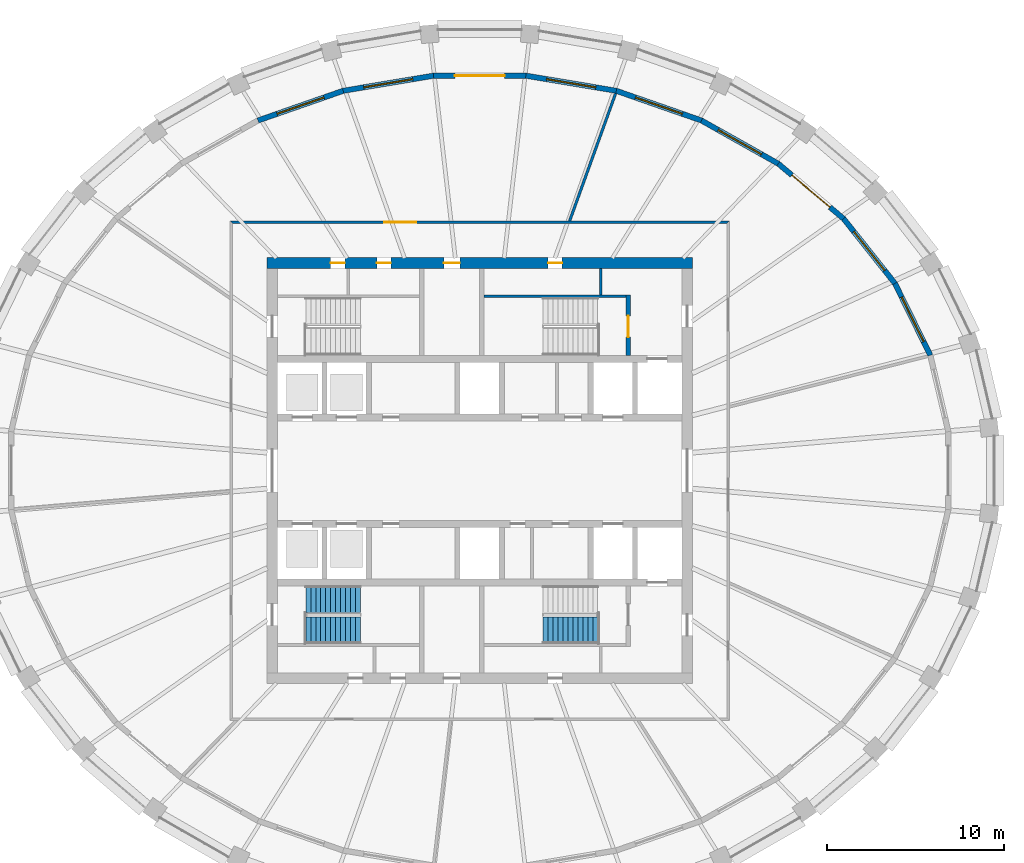
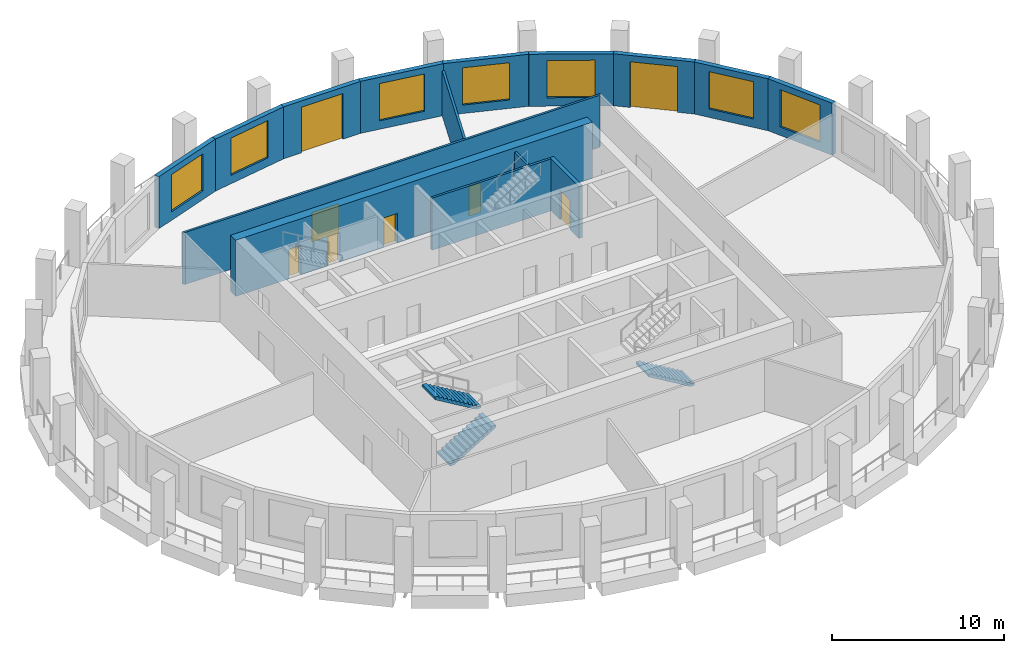
# One storey, part 6 of 10: 15 walls, 8 doors, 7 windows, 3 stair flights, 15 openings, 2 elements without a shape of their own.
"""IFC4 building model written with IfcOpenShell, lengths in metres."""

import ifcopenshell
import ifcopenshell.guid

model = None  # the IFC model being written
_history = None  # IfcOwnerHistory: only IFC2X3 demands one
_inside = {}  # id of a spatial element -> (the spatial element, [elements in it])
_under = {}  # id of a project, library or spatial element -> (it, [spatial elements below it])
_declared = {}  # id of a project -> (the project, [libraries it declares])
_typed = {}  # id of a type object -> (the type object, [elements of that type])
_made_of = {}  # id of a material, layer set ... -> (it, [elements and type objects made of it])


def new_model(schema):
    """Start an empty IFC model of exactly this schema.

    Asked for "IFC4X3", IfcOpenShell would pick the latest addendum, in which some entities
    have other attributes; the version numbers below select the first issue.
    IFC2X3 requires an IfcOwnerHistory on every rooted entity: one is made here for all.
    """
    global model, _history
    if schema == "IFC4X3":
        model = ifcopenshell.file(schema_version=(4, 3, 0, 0))
    else:
        model = ifcopenshell.file(schema=schema)
    _inside.clear()
    _under.clear()
    _declared.clear()
    _typed.clear()
    _made_of.clear()
    _history = None
    if model.schema == "IFC2X3":
        org = make("IfcOrganization", Name="unknown")
        user = make(
            "IfcPersonAndOrganization",
            ThePerson=make("IfcPerson", FamilyName="unknown"),
            TheOrganization=org,
        )
        app = make(
            "IfcApplication",
            ApplicationDeveloper=org,
            Version="unknown",
            ApplicationFullName="unknown",
            ApplicationIdentifier="unknown",
        )
        _history = make(
            "IfcOwnerHistory",
            OwningUser=user,
            OwningApplication=app,
            ChangeAction="ADDED",
            CreationDate=0,
        )
    return model


def make(cls, **values):
    """One entity of the class cls with the attributes given. An attribute that is None is left unset."""
    return model.create_entity(
        cls, **{name: value for name, value in values.items() if value is not None}
    )


def rooted(cls, **values):
    """An entity with a GlobalId (a new one), such as an element, a storey or a relation."""
    return make(cls, GlobalId=ifcopenshell.guid.new(), OwnerHistory=_history, **values)


def si_unit(unit_type, name, prefix=None):
    """IfcSIUnit, for example si_unit("LENGTHUNIT", "METRE", prefix="MILLI")."""
    return make("IfcSIUnit", UnitType=unit_type, Prefix=prefix, Name=name)


def assignment(units):
    """IfcUnitAssignment: the units of a project."""
    return None if units is None else make("IfcUnitAssignment", Units=units)


def point(xyz):
    """IfcCartesianPoint."""
    return None if xyz is None else make("IfcCartesianPoint", Coordinates=xyz)


def direction(xyz):
    """IfcDirection."""
    return None if xyz is None else make("IfcDirection", DirectionRatios=xyz)


def frame(location, z_axis=None, x_axis=None):
    """IfcAxis2Placement3D, a coordinate frame: its origin and axes. An axis left out is left unset."""
    return make(
        "IfcAxis2Placement3D",
        Location=point(location),
        Axis=direction(z_axis),
        RefDirection=direction(x_axis),
    )


def frame_2d(location, x_axis=None):
    """IfcAxis2Placement2D, a coordinate frame in the plane: its origin and x axis."""
    return make(
        "IfcAxis2Placement2D", Location=point(location), RefDirection=direction(x_axis)
    )


def origin():
    """The frame at (0, 0, 0) with its axes left unset."""
    return frame((0.0, 0.0, 0.0))


def place(relative_to, where):
    """IfcLocalPlacement: puts the frame where relative to a parent placement (None: the world)."""
    return make(
        "IfcLocalPlacement", PlacementRelTo=relative_to, RelativePlacement=where
    )


def context(
    kind, dimensions, precision=None, world=None, true_north=None, identifier=None
):
    """IfcGeometricRepresentationContext, for example the 3D "Model" context."""
    return make(
        "IfcGeometricRepresentationContext",
        ContextIdentifier=identifier,
        ContextType=kind,
        CoordinateSpaceDimension=dimensions,
        Precision=precision,
        WorldCoordinateSystem=world,
        TrueNorth=true_north,
    )


def subcontext(parent, identifier, kind, view, scale=None):
    """IfcGeometricRepresentationSubContext, for example "Body" below "Model"."""
    return make(
        "IfcGeometricRepresentationSubContext",
        ContextIdentifier=identifier,
        ContextType=kind,
        ParentContext=parent,
        TargetScale=scale,
        TargetView=view,
    )


def project(units=None, contexts=None):
    """IfcProject with its units and contexts."""
    return rooted(
        "IfcProject",
        Name="project",
        RepresentationContexts=contexts,
        UnitsInContext=assignment(units),
    )


def spatial(cls, under=None, at=None, **own):
    """A site, building, storey or space (cls), placed at a placement, below another one or the project."""
    s = rooted(cls, ObjectPlacement=at, **own)
    if under is not None:
        _under.setdefault(under.id(), (under, []))[1].append(s)
    return s


def polyline(points):
    """IfcPolyline through the points."""
    return make("IfcPolyline", Points=[point(p) for p in points])


def profile(cls, at=None, kind="AREA", **sizes):
    """A parametric profile (cls). Its sizes go by their IFC names, for example OverallWidth=200.0."""
    return make(cls, ProfileType=kind, Position=at, **sizes)


def rectangle(**sizes):
    """IfcRectangleProfileDef."""
    return profile("IfcRectangleProfileDef", **sizes)


def outline(outer, holes=None, kind="AREA"):
    """IfcArbitraryClosedProfileDef: a profile drawn as a closed curve; with holes, ...WithVoids."""
    if holes is None:
        return make("IfcArbitraryClosedProfileDef", ProfileType=kind, OuterCurve=outer)
    return make(
        "IfcArbitraryProfileDefWithVoids",
        ProfileType=kind,
        OuterCurve=outer,
        InnerCurves=holes,
    )


def extrude(swept, where, along, depth):
    """IfcExtrudedAreaSolid: the profile swept, set in the frame where, extruded along a direction by depth."""
    return make(
        "IfcExtrudedAreaSolid",
        SweptArea=swept,
        Position=where,
        ExtrudedDirection=direction(along),
        Depth=depth,
    )


def shape(context_of_items, identifier, shape_type, items):
    """IfcShapeRepresentation: the items that make up one representation, for example the "Body"."""
    return make(
        "IfcShapeRepresentation",
        ContextOfItems=context_of_items,
        RepresentationIdentifier=identifier,
        RepresentationType=shape_type,
        Items=items,
    )


def material(Name=None, Category=None):
    """IfcMaterial."""
    return make("IfcMaterial", Name=Name, Category=Category)


def layer(
    of_material, thickness, ventilated=None, Name=None, Category=None, Priority=None
):
    """IfcMaterialLayer: one layer of a wall or slab, of a material (None: an air gap)."""
    return make(
        "IfcMaterialLayer",
        Material=of_material,
        LayerThickness=thickness,
        IsVentilated=ventilated,
        Name=Name,
        Category=Category,
        Priority=Priority,
    )


def layer_set(layers, Name=None):
    """IfcMaterialLayerSet."""
    return make("IfcMaterialLayerSet", MaterialLayers=layers, LayerSetName=Name)


def made_of(thing, what):
    """Note that an element or type object is made of a material, layer set ...; save() writes the relation."""
    if what is not None:
        _made_of.setdefault(what.id(), (what, []))[1].append(thing)
    return thing


def type_object(cls, material=None, **own):
    """A type object (cls), such as IfcWallType, which elements share."""
    return made_of(rooted(cls, **own), material)


def element(
    cls,
    number,
    at=None,
    inside=None,
    cuts=None,
    type_object=None,
    material=None,
    context=None,
    identifier="Body",
    shape_type=None,
    held_by="IfcProductDefinitionShape",
    body=None,
    shapes=None,
    **own,
):
    """One element of the class cls, such as IfcWall. Its Tag is "e" and its number.

    at: its placement. inside: the storey or other place that contains it. cuts: it is an
    opening in that element (IfcRelVoidsElement). A single representation is given by context,
    identifier, shape_type and body (its items); several are given by shapes. held_by: the class
    of the entity that holds the representations. save() writes the other relations.
    """
    e = rooted(cls, Tag="e%d" % number, ObjectPlacement=at, **own)
    if body is not None:
        shapes = [shape(context, identifier, shape_type, body)]
    if shapes is not None:
        e.Representation = make(held_by, Representations=shapes)
    if inside is not None:
        _inside.setdefault(inside.id(), (inside, []))[1].append(e)
    if cuts is not None:
        rooted(
            "IfcRelVoidsElement", RelatingBuildingElement=cuts, RelatedOpeningElement=e
        )
    if type_object is not None:
        _typed.setdefault(type_object.id(), (type_object, []))[1].append(e)
    return made_of(e, material)


def fill(opening, filler):
    """IfcRelFillsElement: the door or window that sits in an opening."""
    return rooted(
        "IfcRelFillsElement",
        RelatingOpeningElement=opening,
        RelatedBuildingElement=filler,
    )


def aggregate(whole, parts):
    """IfcRelAggregates: a whole, such as a stair, and the parts it consists of."""
    return rooted("IfcRelAggregates", RelatingObject=whole, RelatedObjects=parts)


def save(model, path):
    """Write the relations noted so far, then the file.

    IfcRelAggregates (storeys below a building ...), IfcRelContainedInSpatialStructure (elements
    in a storey), IfcRelDefinesByType, IfcRelAssociatesMaterial and IfcRelDeclares: one each for
    every whole, place, type object, material and project.
    """
    for whole, parts in _under.values():
        aggregate(whole, parts)
    for where, things in _inside.values():
        rooted(
            "IfcRelContainedInSpatialStructure",
            RelatedElements=things,
            RelatingStructure=where,
        )
    for kind, things in _typed.values():
        rooted("IfcRelDefinesByType", RelatedObjects=things, RelatingType=kind)
    for what, things in _made_of.values():
        rooted("IfcRelAssociatesMaterial", RelatedObjects=things, RelatingMaterial=what)
    for by, libraries in _declared.values():
        rooted("IfcRelDeclares", RelatingContext=by, RelatedDefinitions=libraries)
    model.write(path)


model = new_model("IFC4")

# Units and contexts
model_context = context("Model", 3, precision=1e-05, world=origin(), true_north=direction((0.0, 1.0)))
body_context = subcontext(model_context, "Body", "Model", "MODEL_VIEW")
ifc_project = project(units=[si_unit("LENGTHUNIT", "METRE"), si_unit("AREAUNIT", "SQUARE_METRE"), si_unit("VOLUMEUNIT", "CUBIC_METRE"), si_unit("PLANEANGLEUNIT", "RADIAN"), si_unit("MASSUNIT", "GRAM", prefix="KILO")], contexts=[model_context])

# Site, building, storey
site_placement = place(None, origin())
site = spatial("IfcSite", under=ifc_project, at=site_placement, CompositionType="ELEMENT")
building_placement = place(site_placement, origin())
building = spatial("IfcBuilding", under=site, at=building_placement, Name="Halqa Exchange Tower", CompositionType="ELEMENT")
storey_placement = place(building_placement, frame((0.0, 0.0, 300.300048828125)))
storey = spatial("IfcBuildingStorey", under=building, at=storey_placement, Name="L70", CompositionType="ELEMENT", Elevation=300.300048828125)

# Wall, opening, door
ifc_material_1 = material(Name="Fire-rated gypsum board")
ifc_layer_1 = layer(ifc_material_1, 0.14990234375)
ifc_layer_set_1 = layer_set([ifc_layer_1], Name="Fire-rated gypsum board")
wall_type_1 = type_object("IfcWallType", Name="Fire partition EI 60 150", PredefinedType="PARTITIONING", material=ifc_layer_set_1)
wall_1_placement = place(storey_placement, frame((-14.074951171875, 14.0, 0.0), z_axis=(0.0, 0.0, 1.0), x_axis=(1.0, 0.0, 0.0)))
wall_1 = element("IfcWall", 1, at=wall_1_placement, inside=storey, type_object=wall_type_1, Name="L70-PWL-005", PredefinedType="PARTITIONING", context=body_context, shape_type="SweptSolid", body=[
    extrude(outline(polyline([(0.14990234375, -0.074951171875), (2.13916015625, -0.074951171875), (4.12841796875, -0.074951171875), (6.11767578125, -0.074951171875), (8.107177734375, -0.074951171875), (10.096435546875, -0.074951171875), (12.085693359375, -0.074951171875), (14.074951171875, -0.074951171875), (16.064208984375, -0.074951171875), (18.053466796875, -0.074951171875), (20.042724609375, -0.074951171875), (22.0322265625, -0.074951171875), (24.021484375, -0.074951171875), (26.0107421875, -0.074951171875), (28.0, -0.074951171875), (28.14990234375, 0.074951171875), (26.273193359375, 0.074951171875), (24.396484375, 0.074951171875), (22.52001953125, 0.074951171875), (20.643310546875, 0.074951171875), (18.7666015625, 0.074951171875), (16.889892578125, 0.074951171875), (15.01318359375, 0.074951171875), (13.13671875, 0.074951171875), (11.260009765625, 0.074951171875), (9.38330078125, 0.074951171875), (7.506591796875, 0.074951171875), (5.6298828125, 0.074951171875), (3.75341796875, 0.074951171875), (1.876708984375, 0.074951171875), (0.0, 0.074951171875), (0.14990234375, -0.074951171875)])), origin(), (0.0, 0.0, 1.0), 3.699951171875),
])
opening_1_placement = place(wall_1_placement, frame((8.695068359375, 0.0, 0.0)))
opening_1 = element("IfcOpeningElement", 2, at=opening_1_placement, cuts=wall_1, Name="Opening 21-08", PredefinedType="OPENING", context=body_context, shape_type="SweptSolid", body=[
    extrude(rectangle(XDim=1.800048828125, YDim=2.10009765625, at=frame_2d((0.89990234375, 1.050048828125))), frame((0.0, 0.0869140625, 0.0), z_axis=(0.0, -1.0, 0.0), x_axis=(1.0, 0.0, 0.0)), (0.0, 0.0, 1.0), 0.173828125),
])
ifc_material_2 = material(Name="Steel fire door leaf", Category="steel")
door_type_1 = type_object("IfcDoorType", Name="Fire door FD30S double 1800 x 2100", OperationType="DOUBLE_DOOR_SINGLE_SWING", PredefinedType="DOOR", material=ifc_material_2)
door_1_placement = place(opening_1_placement, origin())
door_1 = element("IfcDoor", 3, at=door_1_placement, inside=storey, type_object=door_type_1, Name="L70-IDR-008", OperationType="DOUBLE_DOOR_SINGLE_SWING", OverallHeight=2.10009765625, OverallWidth=1.800048828125, PredefinedType="DOOR", context=body_context, shape_type="SweptSolid", body=[
    extrude(rectangle(XDim=1.800048828125, YDim=2.10009765625, at=frame_2d((0.89990234375, 1.050048828125))), frame((0.0, 0.02490234375, 0.0), z_axis=(0.0, -1.0, 0.0), x_axis=(1.0, 0.0, 0.0)), (0.0, 0.0, 1.0), 0.050048828125),
])
fill(opening_1, door_1)

# Walls
wall_2_placement = place(storey_placement, frame((5.05810546875, 14.0498046875, 0.0), z_axis=(0.0, 0.0, 1.0), x_axis=(0.339337577603, 0.940664663111, 0.0)))
element("IfcWall", 4, at=wall_2_placement, inside=storey, type_object=wall_type_1, Name="L70-PWL-008", PredefinedType="PARTITIONING", context=body_context, shape_type="SweptSolid", body=[
    extrude(outline(polyline([(7.663818359375, -0.074951171875), (7.663818359375, -0.03857421875), (7.663330078125, -0.000244140625), (7.649658203125, 0.074951171875), (5.7373046875, 0.074951171875), (3.82470703125, 0.074951171875), (1.912353515625, 0.074951171875), (0.0, 0.074951171875), (0.0, 0.07421875), (0.0537109375, -0.074951171875), (1.956298828125, -0.074951171875), (3.85888671875, -0.074951171875), (5.76123046875, -0.074951171875), (7.663818359375, -0.074951171875)])), origin(), (0.0, 0.0, 1.0), 3.199951171875),
])
ifc_material_3 = material(Name="Gypsum board")
ifc_layer_2 = layer(ifc_material_3, 0.14990234375)
ifc_layer_set_2 = layer_set([ifc_layer_2], Name="Gypsum board")
wall_type_2 = type_object("IfcWallType", Name="Penthouse riser wall 150 gypsum", PredefinedType="PARTITIONING", material=ifc_layer_set_2)
wall_3_placement = place(storey_placement, frame((6.824951171875, 9.89990234375, 0.0), z_axis=(0.0, 0.0, 1.0), x_axis=(0.0, 1.0, 0.0)))
element("IfcWall", 5, at=wall_3_placement, inside=storey, type_object=wall_type_2, Name="Firefighting lobby west wall N", PredefinedType="PARTITIONING", context=body_context, shape_type="SweptSolid", body=[
    extrude(rectangle(XDim=1.5, YDim=0.14990234375, at=frame_2d((0.75, 0.0))), origin(), (0.0, 0.0, 1.0), 3.699951171875),
])

# Wall, openings, doors
ifc_material_4 = material(Name="Concrete C60/75", Category="concrete")
ifc_layer_3 = layer(ifc_material_4, 0.60009765625)
ifc_layer_set_3 = layer_set([ifc_layer_3], Name="Concrete C60/75")
wall_type_3 = type_object("IfcWallType", Name="RC core wall 600 C60/75", PredefinedType="SHEAR", material=ifc_layer_set_3)
wall_4_placement = place(storey_placement, frame((-12.0, 11.699951171875, 0.0), z_axis=(0.0, 0.0, 1.0), x_axis=(1.0, 0.0, 0.0)))
wall_4 = element("IfcWall", 6, at=wall_4_placement, inside=storey, type_object=wall_type_3, Name="Core wall north", PredefinedType="SHEAR", context=body_context, shape_type="SweptSolid", body=[
    extrude(rectangle(XDim=24.0, YDim=0.60009765625, at=frame_2d((12.0, 0.0))), origin(), (0.0, 0.0, 1.0), 4.0),
])
opening_2_placement = place(wall_4_placement, frame((9.97509765625, 0.0, 0.0)))
opening_2 = element("IfcOpeningElement", 7, at=opening_2_placement, cuts=wall_4, Name="Opening T21-C17", PredefinedType="OPENING", context=body_context, shape_type="SweptSolid", body=[
    extrude(rectangle(XDim=0.89990234375, YDim=2.10009765625, at=frame_2d((0.449951171875, 1.050048828125))), frame((0.0, 0.31201171875, 0.0), z_axis=(0.0, -1.0, 0.0), x_axis=(1.0, 0.0, 0.0)), (0.0, 0.0, 1.0), 0.6240234375),
])
opening_3_placement = place(wall_4_placement, frame((3.60009765625, 0.0, 0.0)))
opening_3 = element("IfcOpeningElement", 8, at=opening_3_placement, cuts=wall_4, Name="Opening T21-C18", PredefinedType="OPENING", context=body_context, shape_type="SweptSolid", body=[
    extrude(rectangle(XDim=0.800048828125, YDim=2.10009765625, at=frame_2d((0.39990234375, 1.050048828125))), frame((0.0, 0.31201171875, 0.0), z_axis=(0.0, -1.0, 0.0), x_axis=(1.0, 0.0, 0.0)), (0.0, 0.0, 1.0), 0.6240234375),
])
opening_4_placement = place(wall_4_placement, frame((6.199951171875, 0.0, 0.0)))
opening_4 = element("IfcOpeningElement", 9, at=opening_4_placement, cuts=wall_4, Name="Opening T21-C19", PredefinedType="OPENING", context=body_context, shape_type="SweptSolid", body=[
    extrude(rectangle(XDim=0.800048828125, YDim=2.10009765625, at=frame_2d((0.39990234375, 1.050048828125))), frame((0.0, 0.31201171875, 0.0), z_axis=(0.0, -1.0, 0.0), x_axis=(1.0, 0.0, 0.0)), (0.0, 0.0, 1.0), 0.6240234375),
])
opening_5_placement = place(wall_4_placement, frame((15.85009765625, 0.0, 0.0)))
opening_5 = element("IfcOpeningElement", 10, at=opening_5_placement, cuts=wall_4, Name="Opening T21-C20", PredefinedType="OPENING", context=body_context, shape_type="SweptSolid", body=[
    extrude(rectangle(XDim=0.800048828125, YDim=2.10009765625, at=frame_2d((0.39990234375, 1.050048828125))), frame((0.0, 0.31201171875, 0.0), z_axis=(0.0, -1.0, 0.0), x_axis=(1.0, 0.0, 0.0)), (0.0, 0.0, 1.0), 0.6240234375),
])
ifc_material_5 = material(Name="Timber fire door leaf", Category="wood")
door_type_2 = type_object("IfcDoorType", Name="Core room door FD30 900 x 2100", OperationType="SINGLE_SWING_LEFT", PredefinedType="DOOR", material=ifc_material_5)
door_2_placement = place(opening_2_placement, frame((0.89990234375, 0.0, 0.0), z_axis=(0.0, 0.0, 1.0), x_axis=(-1.0, 0.0, 0.0)))
door_2 = element("IfcDoor", 11, at=door_2_placement, inside=storey, type_object=door_type_2, Name="Core room door", OperationType="SINGLE_SWING_RIGHT", OverallHeight=2.10009765625, OverallWidth=0.89990234375, PredefinedType="DOOR", context=body_context, shape_type="SweptSolid", body=[
    extrude(rectangle(XDim=0.89990234375, YDim=2.10009765625, at=frame_2d((0.449951171875, 1.050048828125))), frame((0.0, 0.02490234375, 0.0), z_axis=(0.0, -1.0, 0.0), x_axis=(1.0, 0.0, 0.0)), (0.0, 0.0, 1.0), 0.050048828125),
])
fill(opening_2, door_2)
door_type_3 = type_object("IfcDoorType", Name="Riser door FD60 800 x 2100", OperationType="SINGLE_SWING_LEFT", PredefinedType="DOOR", material=ifc_material_2)
door_3_placement = place(opening_3_placement, frame((0.800048828125, 0.0, 0.0), z_axis=(0.0, 0.0, 1.0), x_axis=(-1.0, 0.0, 0.0)))
door_3 = element("IfcDoor", 12, at=door_3_placement, inside=storey, type_object=door_type_3, Name="Core room door", OperationType="SINGLE_SWING_RIGHT", OverallHeight=2.10009765625, OverallWidth=0.800048828125, PredefinedType="DOOR", context=body_context, shape_type="SweptSolid", body=[
    extrude(rectangle(XDim=0.800048828125, YDim=2.10009765625, at=frame_2d((0.39990234375, 1.050048828125))), frame((0.0, 0.02490234375, 0.0), z_axis=(0.0, -1.0, 0.0), x_axis=(1.0, 0.0, 0.0)), (0.0, 0.0, 1.0), 0.050048828125),
])
fill(opening_3, door_3)
door_4_placement = place(opening_4_placement, frame((0.800048828125, 0.0, 0.0), z_axis=(0.0, 0.0, 1.0), x_axis=(-1.0, 0.0, 0.0)))
door_4 = element("IfcDoor", 13, at=door_4_placement, inside=storey, type_object=door_type_3, Name="Core room door", OperationType="SINGLE_SWING_LEFT", OverallHeight=2.10009765625, OverallWidth=0.800048828125, PredefinedType="DOOR", context=body_context, shape_type="SweptSolid", body=[
    extrude(rectangle(XDim=0.800048828125, YDim=2.10009765625, at=frame_2d((0.39990234375, 1.050048828125))), frame((0.0, 0.02490234375, 0.0), z_axis=(0.0, -1.0, 0.0), x_axis=(1.0, 0.0, 0.0)), (0.0, 0.0, 1.0), 0.050048828125),
])
fill(opening_4, door_4)
door_5_placement = place(opening_5_placement, frame((0.800048828125, 0.0, 0.0), z_axis=(0.0, 0.0, 1.0), x_axis=(-1.0, 0.0, 0.0)))
door_5 = element("IfcDoor", 14, at=door_5_placement, inside=storey, type_object=door_type_3, Name="Core room door", OperationType="SINGLE_SWING_RIGHT", OverallHeight=2.10009765625, OverallWidth=0.800048828125, PredefinedType="DOOR", context=body_context, shape_type="SweptSolid", body=[
    extrude(rectangle(XDim=0.800048828125, YDim=2.10009765625, at=frame_2d((0.39990234375, 1.050048828125))), frame((0.0, 0.02490234375, 0.0), z_axis=(0.0, -1.0, 0.0), x_axis=(1.0, 0.0, 0.0)), (0.0, 0.0, 1.0), 0.050048828125),
])
fill(opening_5, door_5)

# Wall
ifc_material_6 = material(Name="Concrete C30/37", Category="concrete")
ifc_layer_4 = layer(ifc_material_6, 0.14990234375)
ifc_layer_set_4 = layer_set([ifc_layer_4], Name="Concrete C30/37")
wall_type_4 = type_object("IfcWallType", Name="RC stair wall 150 C30/37", PredefinedType="SHEAR", material=ifc_layer_set_4)
wall_5_placement = place(storey_placement, frame((0.25, 9.824951171875, 0.0), z_axis=(0.0, 0.0, 1.0), x_axis=(1.0, 0.0, 0.0)))
element("IfcWall", 15, at=wall_5_placement, inside=storey, type_object=wall_type_4, Name="Stair ST2 north wall N", PredefinedType="SHEAR", context=body_context, shape_type="SweptSolid", body=[
    extrude(rectangle(XDim=8.0, YDim=0.14990234375, at=frame_2d((4.0, 0.0))), origin(), (0.0, 0.0, 1.0), 3.699951171875),
])

# Wall, opening, door
ifc_layer_5 = layer(ifc_material_6, 0.25)
ifc_layer_set_5 = layer_set([ifc_layer_5], Name="Concrete C30/37")
wall_type_5 = type_object("IfcWallType", Name="RC stair wall 250 C30/37", PredefinedType="SHEAR", material=ifc_layer_set_5)
wall_6_placement = place(storey_placement, frame((8.375, 6.5, 0.0), z_axis=(0.0, 0.0, 1.0), x_axis=(0.0, 1.0, 0.0)))
wall_6 = element("IfcWall", 16, at=wall_6_placement, inside=storey, type_object=wall_type_5, Name="Stair ST2 east wall N", PredefinedType="SHEAR", context=body_context, shape_type="SweptSolid", body=[
    extrude(rectangle(XDim=3.39990234375, YDim=0.25, at=frame_2d((1.699951171875, 0.0))), origin(), (0.0, 0.0, 1.0), 3.699951171875),
])
opening_6_placement = place(wall_6_placement, frame((1.02490234375, 0.0, 0.0)))
opening_6 = element("IfcOpeningElement", 17, at=opening_6_placement, cuts=wall_6, Name="Opening T21-C12", PredefinedType="OPENING", context=body_context, shape_type="SweptSolid", body=[
    extrude(rectangle(XDim=1.199951171875, YDim=2.10009765625, at=frame_2d((0.60009765625, 1.050048828125))), frame((0.0, 0.136962890625, 0.0), z_axis=(0.0, -1.0, 0.0), x_axis=(1.0, 0.0, 0.0)), (0.0, 0.0, 1.0), 0.27392578125),
])
door_type_4 = type_object("IfcDoorType", Name="Stair door FD90 1200 x 2100", OperationType="SINGLE_SWING_LEFT", PredefinedType="DOOR", material=ifc_material_2)
door_6_placement = place(opening_6_placement, origin())
door_6 = element("IfcDoor", 18, at=door_6_placement, inside=storey, type_object=door_type_4, Name="Stair door ST2", OperationType="SINGLE_SWING_RIGHT", OverallHeight=2.10009765625, OverallWidth=1.199951171875, PredefinedType="DOOR", context=body_context, shape_type="SweptSolid", body=[
    extrude(rectangle(XDim=1.199951171875, YDim=2.10009765625, at=frame_2d((0.60009765625, 1.050048828125))), frame((0.0, 0.02490234375, 0.0), z_axis=(0.0, -1.0, 0.0), x_axis=(1.0, 0.0, 0.0)), (0.0, 0.0, 1.0), 0.050048828125),
])
fill(opening_6, door_6)

# Wall, opening, window
ifc_material_7 = material(Name="Limestone cladding", Category="masonry")
ifc_layer_6 = layer(ifc_material_7, 0.0400390625)
ifc_material_8 = material(Name="Ventilated cavity")
ifc_layer_7 = layer(ifc_material_8, 0.030029296875, ventilated=True)
ifc_material_9 = material(Name="Mineral wool insulation")
ifc_layer_8 = layer(ifc_material_9, 0.10009765625)
ifc_layer_9 = layer(ifc_material_6, 0.10009765625)
ifc_material_10 = material(Name="Internal plaster")
ifc_layer_10 = layer(ifc_material_10, 0.030029296875)
ifc_layer_set_6 = layer_set([ifc_layer_6, ifc_layer_7, ifc_layer_8, ifc_layer_9, ifc_layer_10], Name="Stone-faced insulated wall 300")
wall_type_6 = type_object("IfcWallType", Name="Stone-faced insulated wall 300", PredefinedType="STANDARD", material=ifc_layer_set_6)
wall_7_placement = place(storey_placement, frame((25.39013671875, 6.499755859375, 0.0), z_axis=(0.0, 0.0, 1.0), x_axis=(-0.441431671743, 0.897294867467, 0.0)))
wall_7 = element("IfcWall", 19, at=wall_7_placement, inside=storey, type_object=wall_type_6, Name="Glass-line wall 2", PredefinedType="STANDARD", context=body_context, shape_type="SweptSolid", body=[
    extrude(outline(polyline([(-0.016845703125, -0.14990234375), (4.532958984375, -0.14990234375), (4.500732421875, 0.14990234375), (0.016845703125, 0.14990234375), (-0.016845703125, -0.14990234375)])), origin(), (0.0, 0.0, 1.0), 3.699951171875),
])
opening_7_placement = place(wall_7_placement, frame((0.8583984375, 0.0, 0.60009765625)))
opening_7 = element("IfcOpeningElement", 20, at=opening_7_placement, cuts=wall_7, Name="Opening W-F4-02", PredefinedType="OPENING", context=body_context, shape_type="SweptSolid", body=[
    extrude(rectangle(XDim=2.800048828125, YDim=2.64990234375, at=frame_2d((1.39990234375, 1.324951171875))), frame((0.0, 0.162109375, 0.0), z_axis=(0.0, -1.0, 0.0), x_axis=(1.0, 0.0, 0.0)), (0.0, 0.0, 1.0), 0.323974609375),
])
ifc_material_11 = material(Name="Clear low-emissivity glass in aluminium frame", Category="aluminium")
window_type = type_object("IfcWindowType", Name="Fixed clear glazed window 2800 x 2650", PartitioningType="DOUBLE_PANEL_VERTICAL", PredefinedType="WINDOW", material=ifc_material_11)
window_1_placement = place(opening_7_placement, origin())
window_1 = element("IfcWindow", 21, at=window_1_placement, inside=storey, type_object=window_type, Name="Window 4", OverallHeight=2.64990234375, OverallWidth=2.800048828125, PartitioningType="DOUBLE_PANEL_VERTICAL", PredefinedType="WINDOW", context=body_context, shape_type="SweptSolid", body=[
    extrude(rectangle(XDim=2.800048828125, YDim=2.64990234375, at=frame_2d((1.39990234375, 1.324951171875))), frame((0.0, 0.030029296875, 0.0), z_axis=(0.0, -1.0, 0.0), x_axis=(1.0, 0.0, 0.0)), (0.0, 0.0, 1.0), 0.06005859375),
])
fill(opening_7, window_1)

wall_8_placement = place(storey_placement, frame((23.396240234375, 10.552734375, 0.0), z_axis=(0.0, 0.0, 1.0), x_axis=(-0.621625671247, 0.783314448256, 0.0)))
wall_8 = element("IfcWall", 22, at=wall_8_placement, inside=storey, type_object=wall_type_6, Name="Glass-line wall 3", PredefinedType="STANDARD", context=body_context, shape_type="SweptSolid", body=[
    extrude(outline(polyline([(-0.01611328125, -0.14990234375), (4.668701171875, -0.14990234375), (4.638427734375, 0.14990234375), (0.01611328125, 0.14990234375), (-0.01611328125, -0.14990234375)])), origin(), (0.0, 0.0, 1.0), 3.699951171875),
])
opening_8_placement = place(wall_8_placement, frame((0.927001953125, 0.0, 0.60009765625)))
opening_8 = element("IfcOpeningElement", 23, at=opening_8_placement, cuts=wall_8, Name="Opening W-F4-03", PredefinedType="OPENING", context=body_context, shape_type="SweptSolid", body=[
    extrude(rectangle(XDim=2.800048828125, YDim=2.64990234375, at=frame_2d((1.39990234375, 1.324951171875))), frame((0.0, 0.162109375, 0.0), z_axis=(0.0, -1.0, 0.0), x_axis=(1.0, 0.0, 0.0)), (0.0, 0.0, 1.0), 0.323974609375),
])
window_2_placement = place(opening_8_placement, origin())
window_2 = element("IfcWindow", 24, at=window_2_placement, inside=storey, type_object=window_type, Name="Window 4", OverallHeight=2.64990234375, OverallWidth=2.800048828125, PartitioningType="DOUBLE_PANEL_VERTICAL", PredefinedType="WINDOW", context=body_context, shape_type="SweptSolid", body=[
    extrude(rectangle(XDim=2.800048828125, YDim=2.64990234375, at=frame_2d((1.39990234375, 1.324951171875))), frame((0.0, 0.030029296875, 0.0), z_axis=(0.0, -1.0, 0.0), x_axis=(1.0, 0.0, 0.0)), (0.0, 0.0, 1.0), 0.06005859375),
])
fill(opening_8, window_2)

# Wall, opening, door
wall_9_placement = place(storey_placement, frame((20.50341796875, 14.197998046875, 0.0), z_axis=(0.0, 0.0, 1.0), x_axis=(-0.764966473721, 0.644070100286, 0.0)))
wall_9 = element("IfcWall", 25, at=wall_9_placement, inside=storey, type_object=wall_type_6, Name="Glass-line wall 4", PredefinedType="STANDARD", context=body_context, shape_type="SweptSolid", body=[
    extrude(outline(polyline([(-0.01513671875, -0.14990234375), (4.824462890625, -0.14990234375), (4.796142578125, 0.14990234375), (0.01513671875, 0.14990234375), (-0.01513671875, -0.14990234375)])), origin(), (0.0, 0.0, 1.0), 3.699951171875),
])
opening_9_placement = place(wall_9_placement, frame((1.005126953125, 0.0, 0.0)))
opening_9 = element("IfcOpeningElement", 26, at=opening_9_placement, cuts=wall_9, Name="Opening LG-F4-01", PredefinedType="OPENING", context=body_context, shape_type="SweptSolid", body=[
    extrude(rectangle(XDim=2.800048828125, YDim=3.25, at=frame_2d((1.39990234375, 1.625))), frame((0.0, 0.162109375, 0.0), z_axis=(0.0, -1.0, 0.0), x_axis=(1.0, 0.0, 0.0)), (0.0, 0.0, 1.0), 0.323974609375),
])
door_type_5 = type_object("IfcDoorType", Name="Glazed sliding loggia door 2800 x 3250", OperationType="DOUBLE_DOOR_SLIDING", PredefinedType="DOOR", material=ifc_material_11)
door_7_placement = place(opening_9_placement, origin())
door_7 = element("IfcDoor", 27, at=door_7_placement, inside=storey, type_object=door_type_5, Name="Loggia door 1", OperationType="DOUBLE_DOOR_SLIDING", OverallHeight=3.25, OverallWidth=2.800048828125, PredefinedType="DOOR", context=body_context, shape_type="SweptSolid", body=[
    extrude(rectangle(XDim=2.800048828125, YDim=3.25, at=frame_2d((1.39990234375, 1.625))), frame((0.0, 0.02490234375, 0.0), z_axis=(0.0, -1.0, 0.0), x_axis=(1.0, 0.0, 0.0)), (0.0, 0.0, 1.0), 0.050048828125),
])
fill(opening_9, door_7)

# Wall, opening, window
wall_10_placement = place(storey_placement, frame((16.82373046875, 17.296142578125, 0.0), z_axis=(0.0, 0.0, 1.0), x_axis=(-0.871512454536, 0.490373369575, 0.0)))
wall_10 = element("IfcWall", 28, at=wall_10_placement, inside=storey, type_object=wall_type_6, Name="Glass-line wall 5", PredefinedType="STANDARD", context=body_context, shape_type="SweptSolid", body=[
    extrude(outline(polyline([(-0.01416015625, -0.14990234375), (4.97509765625, -0.14990234375), (4.9482421875, 0.14990234375), (0.01416015625, 0.14990234375), (-0.01416015625, -0.14990234375)])), origin(), (0.0, 0.0, 1.0), 3.699951171875),
])
opening_10_placement = place(wall_10_placement, frame((1.080810546875, 0.0, 0.60009765625)))
opening_10 = element("IfcOpeningElement", 29, at=opening_10_placement, cuts=wall_10, Name="Opening W-F4-05", PredefinedType="OPENING", context=body_context, shape_type="SweptSolid", body=[
    extrude(rectangle(XDim=2.800048828125, YDim=2.64990234375, at=frame_2d((1.39990234375, 1.324951171875))), frame((0.0, 0.162109375, 0.0), z_axis=(0.0, -1.0, 0.0), x_axis=(1.0, 0.0, 0.0)), (0.0, 0.0, 1.0), 0.323974609375),
])
window_3_placement = place(opening_10_placement, origin())
window_3 = element("IfcWindow", 30, at=window_3_placement, inside=storey, type_object=window_type, Name="Window 4", OverallHeight=2.64990234375, OverallWidth=2.800048828125, PartitioningType="DOUBLE_PANEL_VERTICAL", PredefinedType="WINDOW", context=body_context, shape_type="SweptSolid", body=[
    extrude(rectangle(XDim=2.800048828125, YDim=2.64990234375, at=frame_2d((1.39990234375, 1.324951171875))), frame((0.0, 0.030029296875, 0.0), z_axis=(0.0, -1.0, 0.0), x_axis=(1.0, 0.0, 0.0)), (0.0, 0.0, 1.0), 0.06005859375),
])
fill(opening_10, window_3)

wall_11_placement = place(storey_placement, frame((12.49951171875, 19.729248046875, 0.0), z_axis=(0.0, 0.0, 1.0), x_axis=(-0.944230376095, 0.329285585564, 0.0)))
wall_11 = element("IfcWall", 31, at=wall_11_placement, inside=storey, type_object=wall_type_6, Name="Glass-line wall 6", PredefinedType="STANDARD", context=body_context, shape_type="SweptSolid", body=[
    extrude(outline(polyline([(-0.013427734375, -0.14990234375), (5.099609375, -0.14990234375), (5.07421875, 0.14990234375), (0.013427734375, 0.14990234375), (-0.013427734375, -0.14990234375)])), origin(), (0.0, 0.0, 1.0), 3.699951171875),
])
opening_11_placement = place(wall_11_placement, frame((1.143310546875, 0.0, 0.60009765625)))
opening_11 = element("IfcOpeningElement", 32, at=opening_11_placement, cuts=wall_11, Name="Opening W-F4-06", PredefinedType="OPENING", context=body_context, shape_type="SweptSolid", body=[
    extrude(rectangle(XDim=2.800048828125, YDim=2.64990234375, at=frame_2d((1.39990234375, 1.324951171875))), frame((0.0, 0.162109375, 0.0), z_axis=(0.0, -1.0, 0.0), x_axis=(1.0, 0.0, 0.0)), (0.0, 0.0, 1.0), 0.323974609375),
])
window_4_placement = place(opening_11_placement, origin())
window_4 = element("IfcWindow", 33, at=window_4_placement, inside=storey, type_object=window_type, Name="Window 4", OverallHeight=2.64990234375, OverallWidth=2.800048828125, PartitioningType="DOUBLE_PANEL_VERTICAL", PredefinedType="WINDOW", context=body_context, shape_type="SweptSolid", body=[
    extrude(rectangle(XDim=2.800048828125, YDim=2.64990234375, at=frame_2d((1.39990234375, 1.324951171875))), frame((0.0, 0.030029296875, 0.0), z_axis=(0.0, -1.0, 0.0), x_axis=(1.0, 0.0, 0.0)), (0.0, 0.0, 1.0), 0.06005859375),
])
fill(opening_11, window_4)

wall_12_placement = place(storey_placement, frame((7.6962890625, 21.404296875, 0.0), z_axis=(0.0, 0.0, 1.0), x_axis=(-0.986263399459, 0.165180225475, 0.0)))
wall_12 = element("IfcWall", 34, at=wall_12_placement, inside=storey, type_object=wall_type_6, Name="Glass-line wall 7", PredefinedType="STANDARD", context=body_context, shape_type="SweptSolid", body=[
    extrude(outline(polyline([(-0.0126953125, -0.14990234375), (5.18115234375, -0.14990234375), (5.15625, 0.14990234375), (0.0126953125, 0.14990234375), (-0.0126953125, -0.14990234375)])), origin(), (0.0, 0.0, 1.0), 3.699951171875),
])
opening_12_placement = place(wall_12_placement, frame((1.184326171875, 0.0, 0.60009765625)))
opening_12 = element("IfcOpeningElement", 35, at=opening_12_placement, cuts=wall_12, Name="Opening W-F4-07", PredefinedType="OPENING", context=body_context, shape_type="SweptSolid", body=[
    extrude(rectangle(XDim=2.800048828125, YDim=2.64990234375, at=frame_2d((1.39990234375, 1.324951171875))), frame((0.0, 0.162109375, 0.0), z_axis=(0.0, -1.0, 0.0), x_axis=(1.0, 0.0, 0.0)), (0.0, 0.0, 1.0), 0.323974609375),
])
window_5_placement = place(opening_12_placement, origin())
window_5 = element("IfcWindow", 36, at=window_5_placement, inside=storey, type_object=window_type, Name="Window 4", OverallHeight=2.64990234375, OverallWidth=2.800048828125, PartitioningType="DOUBLE_PANEL_VERTICAL", PredefinedType="WINDOW", context=body_context, shape_type="SweptSolid", body=[
    extrude(rectangle(XDim=2.800048828125, YDim=2.64990234375, at=frame_2d((1.39990234375, 1.324951171875))), frame((0.0, 0.030029296875, 0.0), z_axis=(0.0, -1.0, 0.0), x_axis=(1.0, 0.0, 0.0)), (0.0, 0.0, 1.0), 0.06005859375),
])
fill(opening_12, window_5)

# Wall, opening, door
wall_13_placement = place(storey_placement, frame((2.5986328125, 22.258056640625, 0.0), z_axis=(0.0, 0.0, 1.0), x_axis=(-1.0, 0.0, 0.0)))
wall_13 = element("IfcWall", 37, at=wall_13_placement, inside=storey, type_object=wall_type_6, Name="Glass-line wall 8", PredefinedType="STANDARD", context=body_context, shape_type="SweptSolid", body=[
    extrude(outline(polyline([(-0.012451171875, -0.14990234375), (5.209716796875, -0.14990234375), (5.184814453125, 0.14990234375), (0.012451171875, 0.14990234375), (-0.012451171875, -0.14990234375)])), origin(), (0.0, 0.0, 1.0), 3.699951171875),
])
opening_13_placement = place(wall_13_placement, frame((1.198486328125, 0.0, 0.0)))
opening_13 = element("IfcOpeningElement", 38, at=opening_13_placement, cuts=wall_13, Name="Opening LG-F4-02", PredefinedType="OPENING", context=body_context, shape_type="SweptSolid", body=[
    extrude(rectangle(XDim=2.800048828125, YDim=3.25, at=frame_2d((1.39990234375, 1.625))), frame((0.0, 0.162109375, 0.0), z_axis=(0.0, -1.0, 0.0), x_axis=(1.0, 0.0, 0.0)), (0.0, 0.0, 1.0), 0.323974609375),
])
door_8_placement = place(opening_13_placement, origin())
door_8 = element("IfcDoor", 39, at=door_8_placement, inside=storey, type_object=door_type_5, Name="Loggia door 2", OperationType="DOUBLE_DOOR_SLIDING", OverallHeight=3.25, OverallWidth=2.800048828125, PredefinedType="DOOR", context=body_context, shape_type="SweptSolid", body=[
    extrude(rectangle(XDim=2.800048828125, YDim=3.25, at=frame_2d((1.39990234375, 1.625))), frame((0.0, 0.02490234375, 0.0), z_axis=(0.0, -1.0, 0.0), x_axis=(1.0, 0.0, 0.0)), (0.0, 0.0, 1.0), 0.050048828125),
])
fill(opening_13, door_8)

# Wall, opening, window
wall_14_placement = place(storey_placement, frame((-2.5986328125, 22.258056640625, 0.0), z_axis=(0.0, 0.0, 1.0), x_axis=(-0.986263399459, -0.165180225475, 0.0)))
wall_14 = element("IfcWall", 40, at=wall_14_placement, inside=storey, type_object=wall_type_6, Name="Glass-line wall 9", PredefinedType="STANDARD", context=body_context, shape_type="SweptSolid", body=[
    extrude(outline(polyline([(-0.012451171875, -0.14990234375), (5.181396484375, -0.14990234375), (5.156005859375, 0.14990234375), (0.012451171875, 0.14990234375), (-0.012451171875, -0.14990234375)])), origin(), (0.0, 0.0, 1.0), 3.699951171875),
])
opening_14_placement = place(wall_14_placement, frame((1.184326171875, 0.0, 0.60009765625)))
opening_14 = element("IfcOpeningElement", 41, at=opening_14_placement, cuts=wall_14, Name="Opening W-F4-09", PredefinedType="OPENING", context=body_context, shape_type="SweptSolid", body=[
    extrude(rectangle(XDim=2.800048828125, YDim=2.64990234375, at=frame_2d((1.39990234375, 1.324951171875))), frame((0.0, 0.162109375, 0.0), z_axis=(0.0, -1.0, 0.0), x_axis=(1.0, 0.0, 0.0)), (0.0, 0.0, 1.0), 0.323974609375),
])
window_6_placement = place(opening_14_placement, origin())
window_6 = element("IfcWindow", 42, at=window_6_placement, inside=storey, type_object=window_type, Name="Window 4", OverallHeight=2.64990234375, OverallWidth=2.800048828125, PartitioningType="DOUBLE_PANEL_VERTICAL", PredefinedType="WINDOW", context=body_context, shape_type="SweptSolid", body=[
    extrude(rectangle(XDim=2.800048828125, YDim=2.64990234375, at=frame_2d((1.39990234375, 1.324951171875))), frame((0.0, 0.030029296875, 0.0), z_axis=(0.0, -1.0, 0.0), x_axis=(1.0, 0.0, 0.0)), (0.0, 0.0, 1.0), 0.06005859375),
])
fill(opening_14, window_6)

wall_15_placement = place(storey_placement, frame((-7.6962890625, 21.404296875, 0.0), z_axis=(0.0, 0.0, 1.0), x_axis=(-0.944230376095, -0.329285585564, 0.0)))
wall_15 = element("IfcWall", 43, at=wall_15_placement, inside=storey, type_object=wall_type_6, Name="Glass-line wall 10", PredefinedType="STANDARD", context=body_context, shape_type="SweptSolid", body=[
    extrude(outline(polyline([(-0.0126953125, -0.14990234375), (5.100341796875, -0.14990234375), (5.073486328125, 0.14990234375), (0.0126953125, 0.14990234375), (-0.0126953125, -0.14990234375)])), origin(), (0.0, 0.0, 1.0), 3.699951171875),
])
opening_15_placement = place(wall_15_placement, frame((1.143310546875, 0.0, 0.60009765625)))
opening_15 = element("IfcOpeningElement", 44, at=opening_15_placement, cuts=wall_15, Name="Opening W-F4-10", PredefinedType="OPENING", context=body_context, shape_type="SweptSolid", body=[
    extrude(rectangle(XDim=2.800048828125, YDim=2.64990234375, at=frame_2d((1.39990234375, 1.324951171875))), frame((0.0, 0.162109375, 0.0), z_axis=(0.0, -1.0, 0.0), x_axis=(1.0, 0.0, 0.0)), (0.0, 0.0, 1.0), 0.323974609375),
])
window_7_placement = place(opening_15_placement, origin())
window_7 = element("IfcWindow", 45, at=window_7_placement, inside=storey, type_object=window_type, Name="Window 4", OverallHeight=2.64990234375, OverallWidth=2.800048828125, PartitioningType="DOUBLE_PANEL_VERTICAL", PredefinedType="WINDOW", context=body_context, shape_type="SweptSolid", body=[
    extrude(rectangle(XDim=2.800048828125, YDim=2.64990234375, at=frame_2d((1.39990234375, 1.324951171875))), frame((0.0, 0.030029296875, 0.0), z_axis=(0.0, -1.0, 0.0), x_axis=(1.0, 0.0, 0.0)), (0.0, 0.0, 1.0), 0.06005859375),
])
fill(opening_15, window_7)

# Stair, stair flights
stair_type = type_object("IfcStairType", Name="Exit stair 1500 wide", PredefinedType="HALF_TURN_STAIR", material=ifc_material_6)
stair_1_placement = place(storey_placement, origin())
stair_1 = element("IfcStair", 46, at=stair_1_placement, inside=storey, type_object=stair_type, Name="Exit stair ST3", PredefinedType="HALF_TURN_STAIR")
stair_flight_type = type_object("IfcStairFlightType", Name="Stair flight 1500 wide", PredefinedType="STRAIGHT", material=ifc_material_6)
stair_flight_1_placement = place(storey_placement, frame((-9.800048828125, -9.0, 0.0), z_axis=(0.0, 0.0, 1.0), x_axis=(1.0, 0.0, 0.0)))
stair_flight_1 = element("IfcStairFlight", 47, at=stair_flight_1_placement, type_object=stair_flight_type, Name="ST3 flight 1", NumberOfRisers=12, NumberOfTreads=11, PredefinedType="STRAIGHT", RiserHeight=0.166666667, TreadLength=0.28, context=body_context, shape_type="SweptSolid", body=[
    extrude(outline(polyline([(0.0, 0.0), (0.0, 0.166748046875), (0.280029296875, 0.166748046875), (0.280029296875, 0.333251953125), (0.56005859375, 0.333251953125), (0.56005859375, 0.5), (0.840087890625, 0.5), (0.840087890625, 0.666748046875), (1.1201171875, 0.666748046875), (1.1201171875, 0.833251953125), (1.39990234375, 0.833251953125), (1.39990234375, 1.0), (1.679931640625, 1.0), (1.679931640625, 1.166748046875), (1.9599609375, 1.166748046875), (1.9599609375, 1.333251953125), (2.239990234375, 1.333251953125), (2.239990234375, 1.5), (2.52001953125, 1.5), (2.52001953125, 1.666748046875), (2.800048828125, 1.666748046875), (2.800048828125, 1.833251953125), (3.080078125, 1.833251953125), (3.080078125, 2.0), (3.080078125, 1.658935546875), (0.29296875, 0.0), (0.0, 0.0)])), frame((0.0, 0.75, 0.0), z_axis=(0.0, -1.0, 0.0), x_axis=(1.0, 0.0, 0.0)), (0.0, 0.0, 1.0), 1.5),
])
stair_flight_2_placement = place(storey_placement, frame((-6.719970703125, -7.25, 2.0), z_axis=(0.0, 0.0, 1.0), x_axis=(-1.0, 0.0, 0.0)))
stair_flight_2 = element("IfcStairFlight", 48, at=stair_flight_2_placement, type_object=stair_flight_type, Name="ST3 flight 2", NumberOfRisers=12, NumberOfTreads=11, PredefinedType="STRAIGHT", RiserHeight=0.166666667, TreadLength=0.28, context=body_context, shape_type="SweptSolid", body=[
    extrude(outline(polyline([(0.0, 0.0), (0.0, 0.166748046875), (0.280029296875, 0.166748046875), (0.280029296875, 0.333251953125), (0.56005859375, 0.333251953125), (0.56005859375, 0.5), (0.840087890625, 0.5), (0.840087890625, 0.666748046875), (1.1201171875, 0.666748046875), (1.1201171875, 0.833251953125), (1.39990234375, 0.833251953125), (1.39990234375, 1.0), (1.679931640625, 1.0), (1.679931640625, 1.166748046875), (1.9599609375, 1.166748046875), (1.9599609375, 1.333251953125), (2.239990234375, 1.333251953125), (2.239990234375, 1.5), (2.52001953125, 1.5), (2.52001953125, 1.666748046875), (2.800048828125, 1.666748046875), (2.800048828125, 1.833251953125), (3.080078125, 1.833251953125), (3.080078125, 2.0), (3.080078125, 1.658935546875), (0.29296875, 0.0), (0.0, 0.0)])), frame((0.0, 0.75, 0.0), z_axis=(0.0, -1.0, 0.0), x_axis=(1.0, 0.0, 0.0)), (0.0, 0.0, 1.0), 1.5),
])
aggregate(stair_1, [stair_flight_1, stair_flight_2])

# Stair, stair flight
stair_2_placement = place(storey_placement, origin())
stair_2 = element("IfcStair", 49, at=stair_2_placement, inside=storey, type_object=stair_type, Name="Exit stair ST4", PredefinedType="HALF_TURN_STAIR")
stair_flight_3_placement = place(storey_placement, frame((6.64990234375, -9.0, 0.0), z_axis=(0.0, 0.0, 1.0), x_axis=(-1.0, 0.0, 0.0)))
stair_flight_3 = element("IfcStairFlight", 50, at=stair_flight_3_placement, type_object=stair_flight_type, Name="ST4 flight 1", NumberOfRisers=12, NumberOfTreads=11, PredefinedType="STRAIGHT", RiserHeight=0.166666667, TreadLength=0.28, context=body_context, shape_type="SweptSolid", body=[
    extrude(outline(polyline([(0.0, 0.0), (0.0, 0.166748046875), (0.280029296875, 0.166748046875), (0.280029296875, 0.333251953125), (0.56005859375, 0.333251953125), (0.56005859375, 0.5), (0.840087890625, 0.5), (0.840087890625, 0.666748046875), (1.1201171875, 0.666748046875), (1.1201171875, 0.833251953125), (1.39990234375, 0.833251953125), (1.39990234375, 1.0), (1.679931640625, 1.0), (1.679931640625, 1.166748046875), (1.9599609375, 1.166748046875), (1.9599609375, 1.333251953125), (2.239990234375, 1.333251953125), (2.239990234375, 1.5), (2.52001953125, 1.5), (2.52001953125, 1.666748046875), (2.800048828125, 1.666748046875), (2.800048828125, 1.833251953125), (3.080078125, 1.833251953125), (3.080078125, 2.0), (3.080078125, 1.658935546875), (0.29296875, 0.0), (0.0, 0.0)])), frame((0.0, 0.75, 0.0), z_axis=(0.0, -1.0, 0.0), x_axis=(1.0, 0.0, 0.0)), (0.0, 0.0, 1.0), 1.5),
])
aggregate(stair_2, [stair_flight_3])

save(model, "model.ifc")
